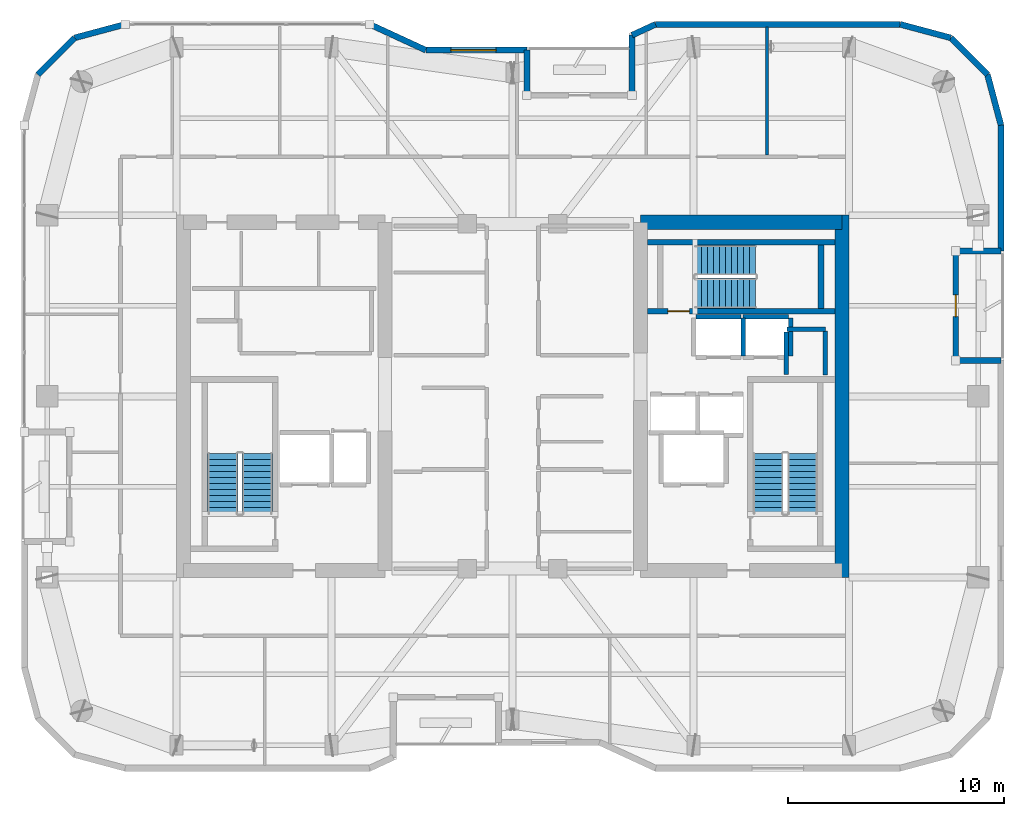
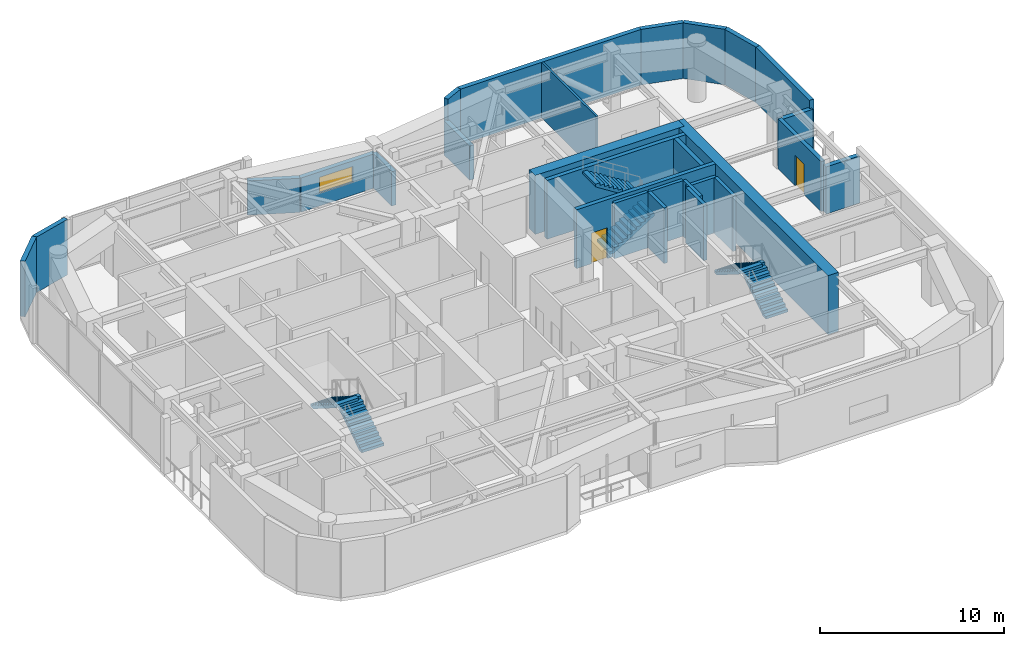
# One storey, part 13 of 15: 28 walls, 6 stair flights, 2 doors, 1 window, 3 openings, 3 elements without a shape of their own.
"""IFC4 building model written with IfcOpenShell, lengths in metres."""

from ifc_helpers import new_model, si_unit, direction, frame, frame_2d, origin, place, context, subcontext, project, spatial, polyline, rectangle, outline, extrude, material, layer, layer_set, type_object, element, fill, aggregate, save


model = new_model("IFC4")

# Units and contexts
model_context = context("Model", 3, precision=1e-05, world=origin(), true_north=direction((0.0, 1.0)))
body_context = subcontext(model_context, "Body", "Model", "MODEL_VIEW")
ifc_project = project(units=[si_unit("LENGTHUNIT", "METRE"), si_unit("AREAUNIT", "SQUARE_METRE"), si_unit("VOLUMEUNIT", "CUBIC_METRE"), si_unit("PLANEANGLEUNIT", "RADIAN"), si_unit("MASSUNIT", "GRAM", prefix="KILO")], contexts=[model_context])

# Site, building, storey
site_placement = place(None, origin())
site = spatial("IfcSite", under=ifc_project, at=site_placement, CompositionType="ELEMENT")
building_placement = place(site_placement, origin())
building = spatial("IfcBuilding", under=site, at=building_placement, Name="Kiyonajd Concourse Tower", CompositionType="ELEMENT")
storey_placement = place(building_placement, frame((0.0, 0.0, 258.89990234375)))
storey = spatial("IfcBuildingStorey", under=building, at=storey_placement, Name="L65", CompositionType="ELEMENT", Elevation=258.89990234375)

# Walls
ifc_material_1 = material(Name="Concrete C60/75", Category="concrete")
ifc_layer_1 = layer(ifc_material_1, 0.64990234375)
ifc_layer_set_1 = layer_set([ifc_layer_1], Name="Concrete C60/75")
wall_type_1 = type_object("IfcWallType", Name="WL-CORE-650", PredefinedType="SHEAR", material=ifc_layer_set_1)
wall_1_placement = place(storey_placement, frame((63.27490234375, 27.60009765625, 0.0), z_axis=(0.0, 0.0, 1.0), x_axis=(0.0, 1.0, 0.0)))
element("IfcWall", 1, at=wall_1_placement, inside=storey, type_object=wall_type_1, Name="L65 East Core Outer Shear Wall", PredefinedType="SHEAR", context=body_context, shape_type="SweptSolid", body=[
    extrude(rectangle(XDim=16.7998046875, YDim=0.64990234375, at=frame_2d((8.39990234375, 0.0))), origin(), (0.0, 0.0, 1.0), 3.900146484375),
])
wall_2_placement = place(storey_placement, frame((53.925048828125, 44.074951171875, 0.0), z_axis=(0.0, 0.0, 1.0), x_axis=(1.0, 0.0, 0.0)))
element("IfcWall", 2, at=wall_2_placement, inside=storey, type_object=wall_type_1, Name="L65 East Core North Shear Wall", PredefinedType="SHEAR", context=body_context, shape_type="SweptSolid", body=[
    extrude(rectangle(XDim=9.349853515625, YDim=0.64990234375, at=frame_2d((4.6748046875, 0.0))), origin(), (0.0, 0.0, 1.0), 3.900146484375),
])
ifc_material_2 = material(Name="Precast concrete C50/60", Category="concrete")
ifc_layer_2 = layer(ifc_material_2, 0.280029296875)
ifc_layer_set_2 = layer_set([ifc_layer_2], Name="Precast concrete C50/60")
wall_type_2 = type_object("IfcWallType", Name="WL-EXT-280", PredefinedType="SOLIDWALL", material=ifc_layer_set_2)
wall_3_placement = place(storey_placement, frame((25.968505859375, 50.927490234375, 0.0), z_axis=(0.0, 0.0, 1.0), x_axis=(0.707106781187, 0.707106781187, 0.0)))
element("IfcWall", 3, at=wall_3_placement, inside=storey, type_object=wall_type_2, Name="L65 Exterior Concrete Frame Wall 07", PredefinedType="SOLIDWALL", context=body_context, shape_type="SweptSolid", body=[
    extrude(rectangle(XDim=2.409912109375, YDim=0.280029296875, at=frame_2d((1.205078125, 0.0))), origin(), (0.0, 0.0, 1.0), 3.68017578125),
])
wall_4_placement = place(storey_placement, frame((27.672607421875, 52.631591796875, 0.0), z_axis=(0.0, 0.0, 1.0), x_axis=(0.965937282298, 0.25877628691, 0.0)))
element("IfcWall", 4, at=wall_4_placement, inside=storey, type_object=wall_type_2, Name="L65 Exterior Concrete Frame Wall 08", PredefinedType="SOLIDWALL", context=body_context, shape_type="SweptSolid", body=[
    extrude(rectangle(XDim=2.428466796875, YDim=0.280029296875, at=frame_2d((1.21435546875, 0.0))), origin(), (0.0, 0.0, 1.0), 3.68017578125),
])
wall_5_placement = place(storey_placement, frame((41.369384765625, 53.260009765625, 0.0), z_axis=(0.0, 0.0, 1.0), x_axis=(0.907956889006, -0.419063584324, 0.0)))
element("IfcWall", 5, at=wall_5_placement, inside=storey, type_object=wall_type_2, Name="L65 Exterior Concrete Frame Wall 10", PredefinedType="SOLIDWALL", context=body_context, shape_type="SweptSolid", body=[
    extrude(rectangle(XDim=2.863525390625, YDim=0.280029296875, at=frame_2d((1.431640625, 0.0))), origin(), (0.0, 0.0, 1.0), 2.26513671875),
])

# Wall, opening, window
wall_6_placement = place(storey_placement, frame((43.96923828125, 52.06005859375, 0.0), z_axis=(0.0, 0.0, 1.0), x_axis=(1.0, 0.0, 0.0)))
wall_6 = element("IfcWall", 6, at=wall_6_placement, inside=storey, type_object=wall_type_2, Name="L65 Exterior Concrete Frame Wall 11", PredefinedType="SOLIDWALL", context=body_context, shape_type="SweptSolid", body=[
    extrude(rectangle(XDim=4.690673828125, YDim=0.280029296875, at=frame_2d((2.34521484375, 0.0))), origin(), (0.0, 0.0, 1.0), 2.26513671875),
])
opening_1_placement = place(wall_6_placement, frame((1.159912109375, 0.0, 0.85009765625)))
opening_1 = element("IfcOpeningElement", 7, at=opening_1_placement, cuts=wall_6, Name="Opening WN5", PredefinedType="OPENING", context=body_context, shape_type="SweptSolid", body=[
    extrude(rectangle(XDim=2.10009765625, YDim=1.050048828125, at=frame_2d((1.050048828125, 0.52490234375))), frame((0.0, 0.14990234375, 0.0), z_axis=(0.0, -1.0, 0.0), x_axis=(1.0, 0.0, 0.0)), (0.0, 0.0, 1.0), 0.300048828125),
])
ifc_material_3 = material(Name="Double Low-E Insulated Glass", Category="glass")
window_type = type_object("IfcWindowType", Name="WN-VIS-2100x1050", PartitioningType="SINGLE_PANEL", PredefinedType="WINDOW", material=ifc_material_3)
window_placement = place(opening_1_placement, origin())
window = element("IfcWindow", 8, at=window_placement, inside=storey, type_object=window_type, Name="L65 Modular Facade Vision Window 11", OverallHeight=1.050048828125, OverallWidth=2.10009765625, PartitioningType="SINGLE_PANEL", PredefinedType="WINDOW", context=body_context, shape_type="SweptSolid", body=[
    extrude(rectangle(XDim=2.10009765625, YDim=1.050048828125, at=frame_2d((1.050048828125, 0.52490234375))), frame((0.0, 0.030029296875, 0.0), z_axis=(0.0, -1.0, 0.0), x_axis=(1.0, 0.0, 0.0)), (0.0, 0.0, 1.0), 0.06005859375),
])
fill(opening_1, window)

# Walls
wall_7_placement = place(storey_placement, frame((48.659912109375, 52.06005859375, 0.0), z_axis=(0.0, 0.0, 1.0), x_axis=(0.0, -1.0, 0.0)))
element("IfcWall", 9, at=wall_7_placement, inside=storey, type_object=wall_type_2, Name="L65 Exterior Concrete Frame Wall 12", PredefinedType="SOLIDWALL", context=body_context, shape_type="SweptSolid", body=[
    extrude(rectangle(XDim=2.10009765625, YDim=0.280029296875, at=frame_2d((1.050048828125, 0.0))), origin(), (0.0, 0.0, 1.0), 2.26513671875),
])
wall_8_placement = place(storey_placement, frame((53.5400390625, 49.9599609375, 0.0), z_axis=(0.0, 0.0, 1.0), x_axis=(0.0, 1.0, 0.0)))
element("IfcWall", 10, at=wall_8_placement, inside=storey, type_object=wall_type_2, Name="L65 Exterior Concrete Frame Wall 14", PredefinedType="SOLIDWALL", context=body_context, shape_type="SweptSolid", body=[
    extrude(rectangle(XDim=2.79638671875, YDim=0.280029296875, at=frame_2d((1.398193359375, 0.0))), origin(), (0.0, 0.0, 1.0), 2.26513671875),
])
wall_9_placement = place(storey_placement, frame((53.5400390625, 52.75634765625, 0.0), z_axis=(0.0, 0.0, 1.0), x_axis=(0.907893953211, 0.419199916176, 0.0)))
element("IfcWall", 11, at=wall_9_placement, inside=storey, type_object=wall_type_2, Name="L65 Exterior Concrete Frame Wall 15", PredefinedType="SOLIDWALL", context=body_context, shape_type="SweptSolid", body=[
    extrude(rectangle(XDim=1.201416015625, YDim=0.280029296875, at=frame_2d((0.6005859375, 0.0))), origin(), (0.0, 0.0, 1.0), 3.68017578125),
])
wall_10_placement = place(storey_placement, frame((54.630859375, 53.260009765625, 0.0), z_axis=(0.0, 0.0, 1.0), x_axis=(1.0, 0.0, 0.0)))
element("IfcWall", 12, at=wall_10_placement, inside=storey, type_object=wall_type_2, Name="L65 Exterior Concrete Frame Wall 16", PredefinedType="SOLIDWALL", context=body_context, shape_type="SweptSolid", body=[
    extrude(rectangle(XDim=11.350830078125, YDim=0.280029296875, at=frame_2d((5.67529296875, 0.0))), origin(), (0.0, 0.0, 1.0), 3.68017578125),
])
wall_11_placement = place(storey_placement, frame((65.981689453125, 53.260009765625, 0.0), z_axis=(0.0, 0.0, 1.0), x_axis=(0.965937282298, -0.25877628691, 0.0)))
element("IfcWall", 13, at=wall_11_placement, inside=storey, type_object=wall_type_2, Name="L65 Exterior Concrete Frame Wall 17", PredefinedType="SOLIDWALL", context=body_context, shape_type="SweptSolid", body=[
    extrude(rectangle(XDim=2.428466796875, YDim=0.280029296875, at=frame_2d((1.21435546875, 0.0))), origin(), (0.0, 0.0, 1.0), 3.68017578125),
])
wall_12_placement = place(storey_placement, frame((68.327392578125, 52.631591796875, 0.0), z_axis=(0.0, 0.0, 1.0), x_axis=(0.707106781187, -0.707106781187, 0.0)))
element("IfcWall", 14, at=wall_12_placement, inside=storey, type_object=wall_type_2, Name="L65 Exterior Concrete Frame Wall 18", PredefinedType="SOLIDWALL", context=body_context, shape_type="SweptSolid", body=[
    extrude(rectangle(XDim=2.409912109375, YDim=0.280029296875, at=frame_2d((1.205078125, 0.0))), origin(), (0.0, 0.0, 1.0), 3.68017578125),
])
wall_13_placement = place(storey_placement, frame((70.031494140625, 50.927490234375, 0.0), z_axis=(0.0, 0.0, 1.0), x_axis=(0.258751159445, -0.965944013639, 0.0)))
element("IfcWall", 15, at=wall_13_placement, inside=storey, type_object=wall_type_2, Name="L65 Exterior Concrete Frame Wall 19", PredefinedType="SOLIDWALL", context=body_context, shape_type="SweptSolid", body=[
    extrude(rectangle(XDim=2.4287109375, YDim=0.280029296875, at=frame_2d((1.21435546875, 0.0))), origin(), (0.0, 0.0, 1.0), 3.68017578125),
])
wall_14_placement = place(storey_placement, frame((70.659912109375, 48.58154296875, 0.0), z_axis=(0.0, 0.0, 1.0), x_axis=(0.0, -1.0, 0.0)))
element("IfcWall", 16, at=wall_14_placement, inside=storey, type_object=wall_type_2, Name="L65 Exterior Concrete Frame Wall 20", PredefinedType="SOLIDWALL", context=body_context, shape_type="SweptSolid", body=[
    extrude(rectangle(XDim=5.841552734375, YDim=0.280029296875, at=frame_2d((2.9208984375, 0.0))), origin(), (0.0, 0.0, 1.0), 3.68017578125),
])
for number, where, z_axis, x_axis, name in (
    (17, (70.659912109375, 42.739990234375, 0.0), (0.0, 0.0, 1.0), (-1.0, 0.0, 0.0), "L65 Exterior Concrete Frame Wall 21"),
    (18, (68.56005859375, 37.659912109375, 0.0), (0.0, 0.0, 1.0), (1.0, 0.0, 0.0), "L65 Exterior Concrete Frame Wall 23"),
):
    element("IfcWall", number, at=place(storey_placement, frame(where, z_axis=z_axis, x_axis=x_axis)), inside=storey, type_object=wall_type_2, Name=name, PredefinedType="SOLIDWALL", context=body_context, shape_type="SweptSolid", body=[
        extrude(rectangle(XDim=2.099853515625, YDim=0.280029296875, at=frame_2d((1.0498046875, 0.0))), origin(), (0.0, 0.0, 1.0), 3.1259765625),
    ])

# Wall, opening, door
ifc_layer_3 = layer(ifc_material_2, 0.239990234375)
ifc_layer_set_3 = layer_set([ifc_layer_3], Name="Precast concrete C50/60")
wall_type_3 = type_object("IfcWallType", Name="WL-LOG-240", PredefinedType="SOLIDWALL", material=ifc_layer_set_3)
wall_15_placement = place(storey_placement, frame((68.56005859375, 42.544921875, 0.0), z_axis=(0.0, 0.0, 1.0), x_axis=(0.0, -1.0, 0.0)))
wall_15 = element("IfcWall", 19, at=wall_15_placement, inside=storey, type_object=wall_type_3, Name="L65 Recessed Loggia Thermal Wall LOG-E", PredefinedType="SOLIDWALL", context=body_context, shape_type="SweptSolid", body=[
    extrude(rectangle(XDim=4.68994140625, YDim=0.239990234375, at=frame_2d((2.344970703125, 0.0))), origin(), (0.0, 0.0, 1.0), 3.31103515625),
])
opening_2_placement = place(wall_15_placement, frame((1.844970703125, 0.0, 0.0)))
opening_2 = element("IfcOpeningElement", 20, at=opening_2_placement, cuts=wall_15, Name="Opening DL1", PredefinedType="OPENING", context=body_context, shape_type="SweptSolid", body=[
    extrude(rectangle(XDim=1.0, YDim=2.02001953125, at=frame_2d((0.5, 1.010009765625))), frame((0.0, 0.1298828125, 0.0), z_axis=(0.0, -1.0, 0.0), x_axis=(1.0, 0.0, 0.0)), (0.0, 0.0, 1.0), 0.260009765625),
])
ifc_material_4 = material(Name="Thermally Broken Anodised Aluminium", Category="aluminium")
door_type_1 = type_object("IfcDoorType", Name="DR-LOG-1000", OperationType="NOTDEFINED", PredefinedType="DOOR", material=ifc_material_4)
door_1_placement = place(opening_2_placement, origin())
door_1 = element("IfcDoor", 21, at=door_1_placement, inside=storey, type_object=door_type_1, Name="L65 Engawa Loggia Access Door LOG-E", OperationType="SINGLE_SWING_LEFT", OverallHeight=2.02001953125, OverallWidth=1.0, PredefinedType="DOOR", context=body_context, shape_type="SweptSolid", body=[
    extrude(rectangle(XDim=1.0, YDim=2.02001953125, at=frame_2d((0.5, 1.010009765625))), frame((0.0, 0.02490234375, 0.0), z_axis=(0.0, -1.0, 0.0), x_axis=(1.0, 0.0, 0.0)), (0.0, 0.0, 1.0), 0.050048828125),
])
fill(opening_2, door_1)

# Walls
ifc_material_5 = material(Name="Gypsum Board on Cold-Formed Steel Stud", Category="steel")
ifc_layer_4 = layer(ifc_material_5, 0.125)
ifc_layer_set_4 = layer_set([ifc_layer_4], Name="Gypsum Board on Cold-Formed Steel Stud")
wall_type_4 = type_object("IfcWallType", Name="WL-PART-125", PredefinedType="PARTITIONING", material=ifc_layer_set_4)
wall_16_placement = place(storey_placement, frame((59.800048828125, 47.197021484375, 0.0), z_axis=(0.0, 0.0, 1.0), x_axis=(0.0, 1.0, 0.0)))
element("IfcWall", 22, at=wall_16_placement, inside=storey, type_object=wall_type_4, Name="L65 Interior Partition Wall", PredefinedType="PARTITIONING", context=body_context, shape_type="SweptSolid", body=[
    extrude(rectangle(XDim=5.927978515625, YDim=0.125, at=frame_2d((2.9638671875, 0.0))), origin(), (0.0, 0.0, 1.0), 3.68017578125),
])
ifc_layer_5 = layer(ifc_material_5, 0.2099609375)
ifc_layer_set_5 = layer_set([ifc_layer_5], Name="Gypsum Board on Cold-Formed Steel Stud")
wall_type_5 = type_object("IfcWallType", Name="WL-SHAFT-210", PredefinedType="PARTITIONING", material=ifc_layer_set_5)
wall_17_placement = place(storey_placement, frame((60.719970703125, 39.10009765625, 0.0), z_axis=(0.0, 0.0, 1.0), x_axis=(1.0, 0.0, 0.0)))
element("IfcWall", 23, at=wall_17_placement, inside=storey, type_object=wall_type_5, Name="L65 Shaft Enclosure Wall", PredefinedType="PARTITIONING", context=body_context, shape_type="SweptSolid", body=[
    extrude(rectangle(XDim=1.800048828125, YDim=0.2099609375, at=frame_2d((0.89990234375, 0.0))), origin(), (0.0, 0.0, 1.0), 3.68017578125),
])
wall_18_placement = place(storey_placement, frame((60.699951171875, 37.02001953125, 0.0), z_axis=(0.0, 0.0, 1.0), x_axis=(0.0, 1.0, 0.0)))
element("IfcWall", 24, at=wall_18_placement, inside=storey, type_object=wall_type_5, Name="L65 Shaft Enclosure Wall", PredefinedType="PARTITIONING", context=body_context, shape_type="SweptSolid", body=[
    extrude(rectangle(XDim=1.9599609375, YDim=0.2099609375, at=frame_2d((0.97998046875, 0.0))), origin(), (0.0, 0.0, 1.0), 3.68017578125),
])
wall_19_placement = place(storey_placement, frame((62.5, 36.97998046875, 0.0), z_axis=(0.0, 0.0, 1.0), x_axis=(0.0, 1.0, 0.0)))
element("IfcWall", 25, at=wall_19_placement, inside=storey, type_object=wall_type_5, Name="L65 Shaft Enclosure Wall", PredefinedType="PARTITIONING", context=body_context, shape_type="SweptSolid", body=[
    extrude(rectangle(XDim=2.0400390625, YDim=0.2099609375, at=frame_2d((1.02001953125, 0.0))), origin(), (0.0, 0.0, 1.0), 3.68017578125),
])
wall_20_placement = place(storey_placement, frame((56.5, 39.699951171875, 0.0), z_axis=(0.0, 0.0, 1.0), x_axis=(1.0, 0.0, 0.0)))
element("IfcWall", 26, at=wall_20_placement, inside=storey, type_object=wall_type_5, Name="L65 Shaft Enclosure Wall", PredefinedType="PARTITIONING", context=body_context, shape_type="SweptSolid", body=[
    extrude(rectangle(XDim=2.10009765625, YDim=0.2099609375, at=frame_2d((1.050048828125, 0.0))), origin(), (0.0, 0.0, 1.0), 3.68017578125),
])
wall_21_placement = place(storey_placement, frame((58.699951171875, 37.860107421875, 0.0), z_axis=(0.0, 0.0, 1.0), x_axis=(0.0, 1.0, 0.0)))
element("IfcWall", 27, at=wall_21_placement, inside=storey, type_object=wall_type_5, Name="L65 Shaft Enclosure Wall", PredefinedType="PARTITIONING", context=body_context, shape_type="SweptSolid", body=[
    extrude(rectangle(XDim=1.77978515625, YDim=0.2099609375, at=frame_2d((0.889892578125, 0.0))), origin(), (0.0, 0.0, 1.0), 3.68017578125),
])
wall_22_placement = place(storey_placement, frame((58.699951171875, 39.699951171875, 0.0), z_axis=(0.0, 0.0, 1.0), x_axis=(1.0, 0.0, 0.0)))
element("IfcWall", 28, at=wall_22_placement, inside=storey, type_object=wall_type_5, Name="L65 Shaft Enclosure Wall", PredefinedType="PARTITIONING", context=body_context, shape_type="SweptSolid", body=[
    extrude(rectangle(XDim=2.10009765625, YDim=0.2099609375, at=frame_2d((1.050048828125, 0.0))), origin(), (0.0, 0.0, 1.0), 3.68017578125),
])
wall_23_placement = place(storey_placement, frame((60.89990234375, 37.860107421875, 0.0), z_axis=(0.0, 0.0, 1.0), x_axis=(0.0, 1.0, 0.0)))
element("IfcWall", 29, at=wall_23_placement, inside=storey, type_object=wall_type_5, Name="L65 Shaft Enclosure Wall", PredefinedType="PARTITIONING", context=body_context, shape_type="SweptSolid", body=[
    extrude(rectangle(XDim=1.77978515625, YDim=0.2099609375, at=frame_2d((0.889892578125, 0.0))), origin(), (0.0, 0.0, 1.0), 3.68017578125),
])

# Wall, opening, door
ifc_material_6 = material(Name="Concrete C50/60", Category="concrete")
ifc_layer_6 = layer(ifc_material_6, 0.260009765625)
ifc_layer_set_6 = layer_set([ifc_layer_6], Name="Concrete C50/60")
wall_type_6 = type_object("IfcWallType", Name="WL-STAIR-260", PredefinedType="SHEAR", material=ifc_layer_set_6)
wall_24_placement = place(storey_placement, frame((54.25, 39.949951171875, 0.0), z_axis=(0.0, 0.0, 1.0), x_axis=(1.0, 0.0, 0.0)))
wall_24 = element("IfcWall", 30, at=wall_24_placement, inside=storey, type_object=wall_type_6, Name="L65 Stair ST3 Structural South Wall", PredefinedType="SHEAR", context=body_context, shape_type="SweptSolid", body=[
    extrude(rectangle(XDim=8.699951171875, YDim=0.260009765625, at=frame_2d((4.35009765625, 0.0))), origin(), (0.0, 0.0, 1.0), 3.900146484375),
])
opening_3_placement = place(wall_24_placement, frame((0.949951171875, 0.0, 0.0)))
opening_3 = element("IfcOpeningElement", 31, at=opening_3_placement, cuts=wall_24, Name="Opening DF1", PredefinedType="OPENING", context=body_context, shape_type="SweptSolid", body=[
    extrude(rectangle(XDim=1.0, YDim=2.0400390625, at=frame_2d((0.5, 1.02001953125))), frame((0.0, 0.139892578125, 0.0), z_axis=(0.0, -1.0, 0.0), x_axis=(1.0, 0.0, 0.0)), (0.0, 0.0, 1.0), 0.280029296875),
])
ifc_material_7 = material(Name="Brushed Stainless Steel Cab Assembly", Category="steel")
door_type_2 = type_object("IfcDoorType", Name="DR-FD90-1000", OperationType="NOTDEFINED", PredefinedType="DOOR", material=ifc_material_7)
door_2_placement = place(opening_3_placement, origin())
door_2 = element("IfcDoor", 32, at=door_2_placement, inside=storey, type_object=door_type_2, Name="L65 Stair ST3 Enclosure Door", OperationType="SINGLE_SWING_LEFT", OverallHeight=2.0400390625, OverallWidth=1.0, PredefinedType="DOOR", context=body_context, shape_type="SweptSolid", body=[
    extrude(rectangle(XDim=1.0, YDim=2.0400390625, at=frame_2d((0.5, 1.02001953125))), frame((0.0, 0.02490234375, 0.0), z_axis=(0.0, -1.0, 0.0), x_axis=(1.0, 0.0, 0.0)), (0.0, 0.0, 1.0), 0.050048828125),
])
fill(opening_3, door_2)

# Walls
wall_25_placement = place(storey_placement, frame((54.25, 43.14990234375, 0.0), z_axis=(0.0, 0.0, 1.0), x_axis=(1.0, 0.0, 0.0)))
element("IfcWall", 33, at=wall_25_placement, inside=storey, type_object=wall_type_6, Name="L65 Stair ST3 Structural North Wall", PredefinedType="SHEAR", context=body_context, shape_type="SweptSolid", body=[
    extrude(rectangle(XDim=8.699951171875, YDim=0.260009765625, at=frame_2d((4.35009765625, 0.0))), origin(), (0.0, 0.0, 1.0), 3.900146484375),
])
wall_26_placement = place(storey_placement, frame((62.31005859375, 40.080078125, 0.0), z_axis=(0.0, 0.0, 1.0), x_axis=(0.0, 1.0, 0.0)))
element("IfcWall", 34, at=wall_26_placement, inside=storey, type_object=wall_type_6, Name="L65 Stair ST3 Structural East Wall", PredefinedType="SHEAR", context=body_context, shape_type="SweptSolid", body=[
    extrude(rectangle(XDim=2.93994140625, YDim=0.260009765625, at=frame_2d((1.469970703125, 0.0))), origin(), (0.0, 0.0, 1.0), 3.900146484375),
])

# Stair, stair flights
ifc_material_8 = material(Name="Concrete C40/50", Category="concrete")
stair_type = type_object("IfcStairType", Name="ST-DLG-22R", PredefinedType="HALF_TURN_STAIR", material=ifc_material_8)
stair_1_placement = place(storey_placement, origin())
stair_1 = element("IfcStair", 35, at=stair_1_placement, inside=storey, type_object=stair_type, Name="L65 Protected Exit Stair ST1", PredefinedType="HALF_TURN_STAIR")
stair_flight_type = type_object("IfcStairFlightType", Name="SF-STR-22R", PredefinedType="STRAIGHT", material=ifc_material_8)
stair_flight_1_placement = place(storey_placement, frame((36.14990234375, 30.550048828125, 0.0), z_axis=(0.0, 0.0, 1.0), x_axis=(0.0, 1.0, 0.0)))
stair_flight_1 = element("IfcStairFlight", 36, at=stair_flight_1_placement, type_object=stair_flight_type, Name="ST1 flight 1", NumberOfRisers=11, NumberOfTreads=10, PredefinedType="STRAIGHT", RiserHeight=0.177272727, TreadLength=0.28, context=body_context, shape_type="SweptSolid", body=[
    extrude(outline(polyline([(0.0, 0.0), (0.0, 0.17724609375), (0.280029296875, 0.17724609375), (0.280029296875, 0.3544921875), (0.56005859375, 0.3544921875), (0.56005859375, 0.53173828125), (0.840087890625, 0.53173828125), (0.840087890625, 0.708984375), (1.1201171875, 0.708984375), (1.1201171875, 0.886474609375), (1.39990234375, 0.886474609375), (1.39990234375, 1.063720703125), (1.679931640625, 1.063720703125), (1.679931640625, 1.240966796875), (1.9599609375, 1.240966796875), (1.9599609375, 1.418212890625), (2.239990234375, 1.418212890625), (2.239990234375, 1.595458984375), (2.52001953125, 1.595458984375), (2.52001953125, 1.772705078125), (2.800048828125, 1.772705078125), (2.800048828125, 1.949951171875), (2.800048828125, 1.59521484375), (0.2802734375, 0.0), (0.0, 0.0)])), frame((0.0, 0.699951171875, 0.0), z_axis=(0.0, -1.0, 0.0), x_axis=(1.0, 0.0, 0.0)), (0.0, 0.0, 1.0), 1.39990234375),
])
stair_flight_2_placement = place(storey_placement, frame((34.550048828125, 33.35009765625, 1.9501953125), z_axis=(0.0, 0.0, 1.0), x_axis=(0.0, -1.0, 0.0)))
stair_flight_2 = element("IfcStairFlight", 37, at=stair_flight_2_placement, type_object=stair_flight_type, Name="ST1 flight 2", NumberOfRisers=11, NumberOfTreads=10, PredefinedType="STRAIGHT", RiserHeight=0.177272727, TreadLength=0.28, context=body_context, shape_type="SweptSolid", body=[
    extrude(outline(polyline([(0.0, 0.0), (0.0, 0.17724609375), (0.280029296875, 0.17724609375), (0.280029296875, 0.3544921875), (0.56005859375, 0.3544921875), (0.56005859375, 0.53173828125), (0.840087890625, 0.53173828125), (0.840087890625, 0.708984375), (1.1201171875, 0.708984375), (1.1201171875, 0.886474609375), (1.39990234375, 0.886474609375), (1.39990234375, 1.063720703125), (1.679931640625, 1.063720703125), (1.679931640625, 1.240966796875), (1.9599609375, 1.240966796875), (1.9599609375, 1.418212890625), (2.239990234375, 1.418212890625), (2.239990234375, 1.595458984375), (2.52001953125, 1.595458984375), (2.52001953125, 1.772705078125), (2.800048828125, 1.772705078125), (2.800048828125, 1.949951171875), (2.800048828125, 1.59521484375), (0.2802734375, 0.0), (0.0, 0.0)])), frame((0.0, 0.699951171875, 0.0), z_axis=(0.0, -1.0, 0.0), x_axis=(1.0, 0.0, 0.0)), (0.0, 0.0, 1.0), 1.39990234375),
])
aggregate(stair_1, [stair_flight_1, stair_flight_2])

stair_2_placement = place(storey_placement, origin())
stair_2 = element("IfcStair", 38, at=stair_2_placement, inside=storey, type_object=stair_type, Name="L65 Protected Exit Stair ST2", PredefinedType="HALF_TURN_STAIR")
stair_flight_3_placement = place(storey_placement, frame((61.449951171875, 30.550048828125, 0.0), z_axis=(0.0, 0.0, 1.0), x_axis=(0.0, 1.0, 0.0)))
stair_flight_3 = element("IfcStairFlight", 39, at=stair_flight_3_placement, type_object=stair_flight_type, Name="ST2 flight 1", NumberOfRisers=11, NumberOfTreads=10, PredefinedType="STRAIGHT", RiserHeight=0.177272727, TreadLength=0.28, context=body_context, shape_type="SweptSolid", body=[
    extrude(outline(polyline([(0.0, 0.0), (0.0, 0.17724609375), (0.280029296875, 0.17724609375), (0.280029296875, 0.3544921875), (0.56005859375, 0.3544921875), (0.56005859375, 0.53173828125), (0.840087890625, 0.53173828125), (0.840087890625, 0.708984375), (1.1201171875, 0.708984375), (1.1201171875, 0.886474609375), (1.39990234375, 0.886474609375), (1.39990234375, 1.063720703125), (1.679931640625, 1.063720703125), (1.679931640625, 1.240966796875), (1.9599609375, 1.240966796875), (1.9599609375, 1.418212890625), (2.239990234375, 1.418212890625), (2.239990234375, 1.595458984375), (2.52001953125, 1.595458984375), (2.52001953125, 1.772705078125), (2.800048828125, 1.772705078125), (2.800048828125, 1.949951171875), (2.800048828125, 1.59521484375), (0.2802734375, 0.0), (0.0, 0.0)])), frame((0.0, 0.699951171875, 0.0), z_axis=(0.0, -1.0, 0.0), x_axis=(1.0, 0.0, 0.0)), (0.0, 0.0, 1.0), 1.39990234375),
])
stair_flight_4_placement = place(storey_placement, frame((59.85009765625, 33.35009765625, 1.9501953125), z_axis=(0.0, 0.0, 1.0), x_axis=(0.0, -1.0, 0.0)))
stair_flight_4 = element("IfcStairFlight", 40, at=stair_flight_4_placement, type_object=stair_flight_type, Name="ST2 flight 2", NumberOfRisers=11, NumberOfTreads=10, PredefinedType="STRAIGHT", RiserHeight=0.177272727, TreadLength=0.28, context=body_context, shape_type="SweptSolid", body=[
    extrude(outline(polyline([(0.0, 0.0), (0.0, 0.17724609375), (0.280029296875, 0.17724609375), (0.280029296875, 0.3544921875), (0.56005859375, 0.3544921875), (0.56005859375, 0.53173828125), (0.840087890625, 0.53173828125), (0.840087890625, 0.708984375), (1.1201171875, 0.708984375), (1.1201171875, 0.886474609375), (1.39990234375, 0.886474609375), (1.39990234375, 1.063720703125), (1.679931640625, 1.063720703125), (1.679931640625, 1.240966796875), (1.9599609375, 1.240966796875), (1.9599609375, 1.418212890625), (2.239990234375, 1.418212890625), (2.239990234375, 1.595458984375), (2.52001953125, 1.595458984375), (2.52001953125, 1.772705078125), (2.800048828125, 1.772705078125), (2.800048828125, 1.949951171875), (2.800048828125, 1.59521484375), (0.2802734375, 0.0), (0.0, 0.0)])), frame((0.0, 0.699951171875, 0.0), z_axis=(0.0, -1.0, 0.0), x_axis=(1.0, 0.0, 0.0)), (0.0, 0.0, 1.0), 1.39990234375),
])
aggregate(stair_2, [stair_flight_3, stair_flight_4])

stair_3_placement = place(storey_placement, origin())
stair_3 = element("IfcStair", 41, at=stair_3_placement, inside=storey, type_object=stair_type, Name="L65 Protected Exit Stair ST3", PredefinedType="HALF_TURN_STAIR")
stair_flight_5_placement = place(storey_placement, frame((56.47998046875, 40.780029296875, 0.0), z_axis=(0.0, 0.0, 1.0), x_axis=(1.0, 0.0, 0.0)))
stair_flight_5 = element("IfcStairFlight", 42, at=stair_flight_5_placement, type_object=stair_flight_type, Name="ST3 flight 1", NumberOfRisers=11, NumberOfTreads=10, PredefinedType="STRAIGHT", RiserHeight=0.177272727, TreadLength=0.28, context=body_context, shape_type="SweptSolid", body=[
    extrude(outline(polyline([(0.0, 0.0), (0.0, 0.17724609375), (0.280029296875, 0.17724609375), (0.280029296875, 0.3544921875), (0.56005859375, 0.3544921875), (0.56005859375, 0.53173828125), (0.840087890625, 0.53173828125), (0.840087890625, 0.708984375), (1.1201171875, 0.708984375), (1.1201171875, 0.886474609375), (1.39990234375, 0.886474609375), (1.39990234375, 1.063720703125), (1.679931640625, 1.063720703125), (1.679931640625, 1.240966796875), (1.9599609375, 1.240966796875), (1.9599609375, 1.418212890625), (2.239990234375, 1.418212890625), (2.239990234375, 1.595458984375), (2.52001953125, 1.595458984375), (2.52001953125, 1.772705078125), (2.800048828125, 1.772705078125), (2.800048828125, 1.949951171875), (2.800048828125, 1.59521484375), (0.2802734375, 0.0), (0.0, 0.0)])), frame((0.0, 0.699951171875, 0.0), z_axis=(0.0, -1.0, 0.0), x_axis=(1.0, 0.0, 0.0)), (0.0, 0.0, 1.0), 1.39990234375),
])
stair_flight_6_placement = place(storey_placement, frame((59.280029296875, 42.320068359375, 1.9501953125), z_axis=(0.0, 0.0, 1.0), x_axis=(-1.0, 0.0, 0.0)))
stair_flight_6 = element("IfcStairFlight", 43, at=stair_flight_6_placement, type_object=stair_flight_type, Name="ST3 flight 2", NumberOfRisers=11, NumberOfTreads=10, PredefinedType="STRAIGHT", RiserHeight=0.177272727, TreadLength=0.28, context=body_context, shape_type="SweptSolid", body=[
    extrude(outline(polyline([(0.0, 0.0), (0.0, 0.17724609375), (0.280029296875, 0.17724609375), (0.280029296875, 0.3544921875), (0.56005859375, 0.3544921875), (0.56005859375, 0.53173828125), (0.840087890625, 0.53173828125), (0.840087890625, 0.708984375), (1.1201171875, 0.708984375), (1.1201171875, 0.886474609375), (1.39990234375, 0.886474609375), (1.39990234375, 1.063720703125), (1.679931640625, 1.063720703125), (1.679931640625, 1.240966796875), (1.9599609375, 1.240966796875), (1.9599609375, 1.418212890625), (2.239990234375, 1.418212890625), (2.239990234375, 1.595458984375), (2.52001953125, 1.595458984375), (2.52001953125, 1.772705078125), (2.800048828125, 1.772705078125), (2.800048828125, 1.949951171875), (2.800048828125, 1.59521484375), (0.2802734375, 0.0), (0.0, 0.0)])), frame((0.0, 0.699951171875, 0.0), z_axis=(0.0, -1.0, 0.0), x_axis=(1.0, 0.0, 0.0)), (0.0, 0.0, 1.0), 1.39990234375),
])
aggregate(stair_3, [stair_flight_5, stair_flight_6])

save(model, "model.ifc")
